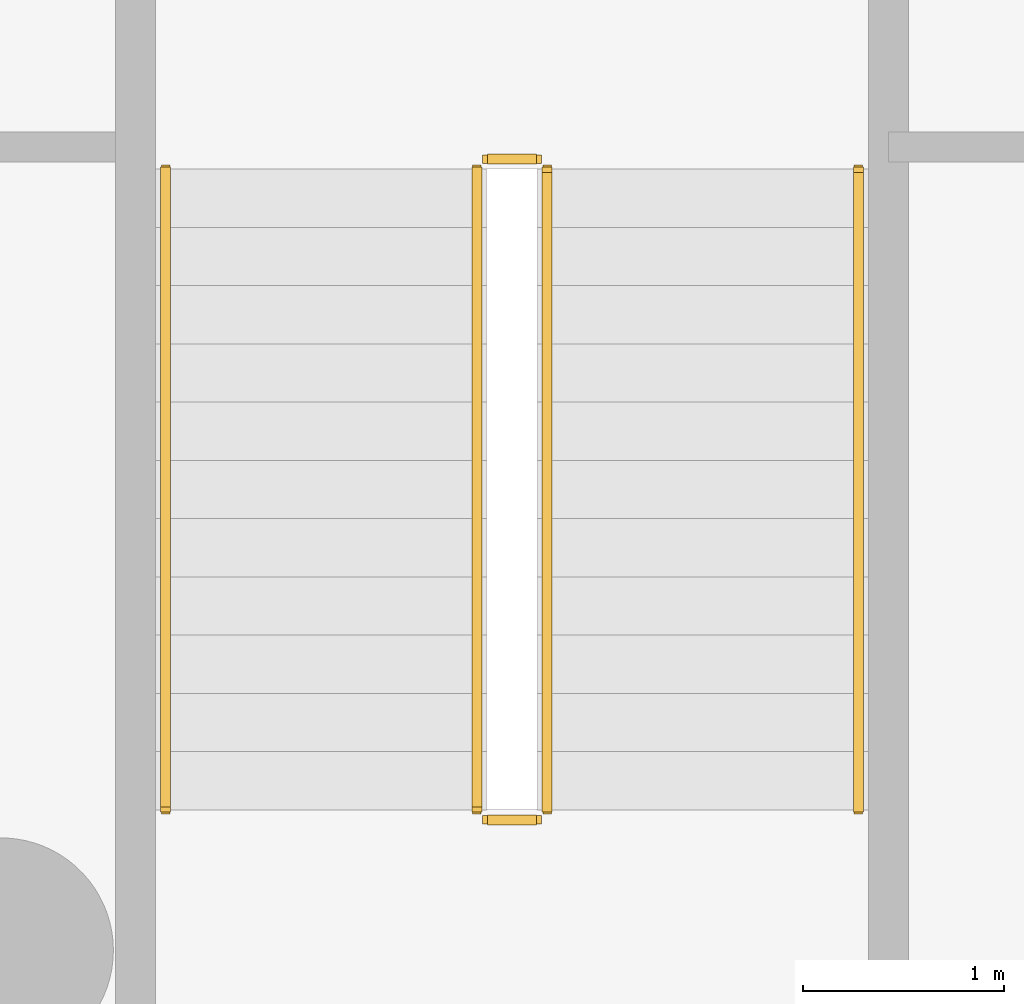
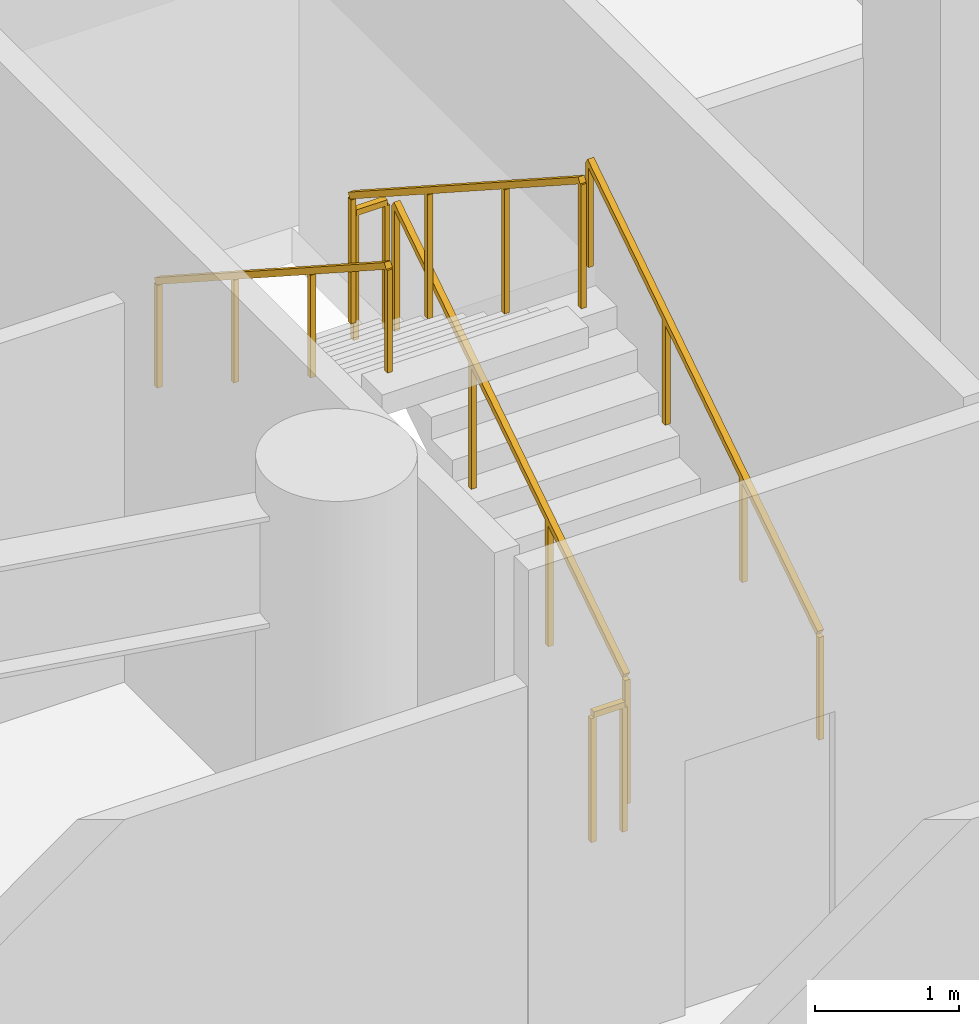
# One storey, part 21 of 21: 6 railings.
"""IFC4 building model written with IfcOpenShell, lengths in metres."""

from ifc_helpers import new_model, si_unit, derived_unit, direction, frame, origin, origin_2d, place, context, subcontext, project, spatial, rectangle, extrude, material, type_object, element, save


model = new_model("IFC4")

# Units and contexts
model_context = context("Model", 3, precision=1e-05, world=origin(), true_north=direction((0.0, 1.0)))
body_context = subcontext(model_context, "Body", "Model", "MODEL_VIEW")
ifc_project = project(units=[si_unit("LENGTHUNIT", "METRE"), si_unit("AREAUNIT", "SQUARE_METRE"), si_unit("VOLUMEUNIT", "CUBIC_METRE"), si_unit("PLANEANGLEUNIT", "RADIAN"), si_unit("MASSUNIT", "GRAM", prefix="KILO"), derived_unit("THERMALTRANSMITTANCEUNIT", [(si_unit("POWERUNIT", "WATT"), 1), (si_unit("LENGTHUNIT", "METRE"), -2), (si_unit("THERMODYNAMICTEMPERATUREUNIT", "KELVIN"), -1)])], contexts=[model_context])

# Site, building, storey
site_placement = place(None, origin())
site = spatial("IfcSite", under=ifc_project, at=site_placement, CompositionType="ELEMENT")
building_placement = place(site_placement, origin())
building = spatial("IfcBuilding", under=site, at=building_placement, Name="Koralith Skygarden Medical Center", CompositionType="ELEMENT")
storey_placement = place(building_placement, frame((0.0, 0.0, 14.39990234375)))
storey = spatial("IfcBuildingStorey", under=building, at=storey_placement, Name="L03", CompositionType="ELEMENT", Elevation=14.39990234375)

# Railings
ifc_material = material(Name="Steel ASTM A500 Grade C", Category="steel")
railing_type_1 = type_object("IfcRailingType", Name="Stair Flight Tubular Handrail 920", PredefinedType="HANDRAIL", material=ifc_material)
railing_1_placement = place(storey_placement, frame((68.64990234375, 23.199951171875, 0.1875)))
element("IfcRailing", 1, at=railing_1_placement, inside=storey, type_object=railing_type_1, Name="L03 ST5 stair handrail 1", PredefinedType="HANDRAIL", context=body_context, shape_type="SweptSolid", body=[
    extrude(rectangle(XDim=0.050048828125, YDim=0.050048828125, at=origin_2d()), frame((0.0, 0.001708984375, 0.89599609375), z_axis=(0.0, 0.839759782654, 0.542958108362), x_axis=(-1.0, 0.0, 0.0)), (0.0, 0.0, 1.0), 3.794677734375),
    extrude(rectangle(XDim=0.0419921875, YDim=0.0419921875, at=origin_2d()), origin(), (0.0, 0.0, 1.0), 0.867919921875),
    extrude(rectangle(XDim=0.0419921875, YDim=0.0419921875, at=origin_2d()), frame((0.0, 1.063232421875, 0.6875)), (0.0, 0.0, 1.0), 0.867919921875),
    extrude(rectangle(XDim=0.0419921875, YDim=0.0419921875, at=origin_2d()), frame((0.0, 2.126708984375, 1.375)), (0.0, 0.0, 1.0), 0.867919921875),
    extrude(rectangle(XDim=0.0419921875, YDim=0.0419921875, at=origin_2d()), frame((0.0, 3.18994140625, 2.0625)), (0.0, 0.0, 1.0), 0.867919921875),
])
railing_2_placement = place(storey_placement, frame((65.199951171875, 26.389892578125, 2.4375)))
element("IfcRailing", 2, at=railing_2_placement, inside=storey, type_object=railing_type_1, Name="L03 ST5 stair handrail 2", PredefinedType="HANDRAIL", context=body_context, shape_type="SweptSolid", body=[
    extrude(rectangle(XDim=0.050048828125, YDim=0.050048828125, at=origin_2d()), frame((0.0, -0.001708984375, 0.89599609375), z_axis=(0.0, -0.839759782654, 0.542958108362), x_axis=(1.0, 0.0, 0.0)), (0.0, 0.0, 1.0), 3.794677734375),
    extrude(rectangle(XDim=0.0419921875, YDim=0.0419921875, at=origin_2d()), origin(), (0.0, 0.0, 1.0), 0.867919921875),
    extrude(rectangle(XDim=0.0419921875, YDim=0.0419921875, at=origin_2d()), frame((0.0, -1.063232421875, 0.6875)), (0.0, 0.0, 1.0), 0.867919921875),
    extrude(rectangle(XDim=0.0419921875, YDim=0.0419921875, at=origin_2d()), frame((0.0, -2.126708984375, 1.375)), (0.0, 0.0, 1.0), 0.867919921875),
    extrude(rectangle(XDim=0.0419921875, YDim=0.0419921875, at=origin_2d()), frame((0.0, -3.18994140625, 2.0625)), (0.0, 0.0, 1.0), 0.867919921875),
])
railing_type_2 = type_object("IfcRailingType", Name="Stair Well Safety Guardrail 1100", PredefinedType="GUARDRAIL", material=ifc_material)
railing_3_placement = place(storey_placement, frame((67.10009765625, 23.199951171875, 0.1875)))
element("IfcRailing", 3, at=railing_3_placement, inside=storey, type_object=railing_type_2, Name="L03 ST5 stair guard 1", PredefinedType="GUARDRAIL", context=body_context, shape_type="SweptSolid", body=[
    extrude(rectangle(XDim=0.050048828125, YDim=0.050048828125, at=origin_2d()), frame((0.0, 0.001708984375, 1.076171875), z_axis=(0.0, 0.839759782654, 0.542958108362), x_axis=(-1.0, 0.0, 0.0)), (0.0, 0.0, 1.0), 3.794677734375),
    extrude(rectangle(XDim=0.0419921875, YDim=0.0419921875, at=origin_2d()), origin(), (0.0, 0.0, 1.0), 1.048095703125),
    extrude(rectangle(XDim=0.0419921875, YDim=0.0419921875, at=origin_2d()), frame((0.0, 1.063232421875, 0.6875)), (0.0, 0.0, 1.0), 1.048095703125),
    extrude(rectangle(XDim=0.0419921875, YDim=0.0419921875, at=origin_2d()), frame((0.0, 2.126708984375, 1.375)), (0.0, 0.0, 1.0), 1.048095703125),
    extrude(rectangle(XDim=0.0419921875, YDim=0.0419921875, at=origin_2d()), frame((0.0, 3.18994140625, 2.0625)), (0.0, 0.0, 1.0), 1.048095703125),
])
railing_4_placement = place(storey_placement, frame((67.050048828125, 26.43994140625, 2.25)))
element("IfcRailing", 4, at=railing_4_placement, inside=storey, type_object=railing_type_2, Name="L03 ST5 stair guard 2", PredefinedType="GUARDRAIL", context=body_context, shape_type="SweptSolid", body=[
    extrude(rectangle(XDim=0.050048828125, YDim=0.050048828125, at=origin_2d()), frame((-0.001953125, 0.0, 1.0751953125), z_axis=(-1.0, 0.0, 0.0), x_axis=(0.0, -1.0, 0.0)), (0.0, 0.0, 1.0), 0.24609375),
    extrude(rectangle(XDim=0.0419921875, YDim=0.0419921875, at=origin_2d()), origin(), (0.0, 0.0, 1.0), 1.048095703125),
    extrude(rectangle(XDim=0.0419921875, YDim=0.0419921875, at=origin_2d()), frame((-0.25, 0.0, 0.0)), (0.0, 0.0, 1.0), 1.048095703125),
])
railing_5_placement = place(storey_placement, frame((66.75, 26.389892578125, 2.4375)))
element("IfcRailing", 5, at=railing_5_placement, inside=storey, type_object=railing_type_2, Name="L03 ST5 stair guard 3", PredefinedType="GUARDRAIL", context=body_context, shape_type="SweptSolid", body=[
    extrude(rectangle(XDim=0.050048828125, YDim=0.050048828125, at=origin_2d()), frame((0.0, -0.001708984375, 1.076171875), z_axis=(0.0, -0.839759782654, 0.542958108362), x_axis=(1.0, 0.0, 0.0)), (0.0, 0.0, 1.0), 3.794677734375),
    extrude(rectangle(XDim=0.0419921875, YDim=0.0419921875, at=origin_2d()), origin(), (0.0, 0.0, 1.0), 1.048095703125),
    extrude(rectangle(XDim=0.0419921875, YDim=0.0419921875, at=origin_2d()), frame((0.0, -1.063232421875, 0.6875)), (0.0, 0.0, 1.0), 1.048095703125),
    extrude(rectangle(XDim=0.0419921875, YDim=0.0419921875, at=origin_2d()), frame((0.0, -2.126708984375, 1.375)), (0.0, 0.0, 1.0), 1.048095703125),
    extrude(rectangle(XDim=0.0419921875, YDim=0.0419921875, at=origin_2d()), frame((0.0, -3.18994140625, 2.0625)), (0.0, 0.0, 1.0), 1.048095703125),
])
railing_6_placement = place(storey_placement, frame((67.050048828125, 23.14990234375, 0.0)))
element("IfcRailing", 6, at=railing_6_placement, inside=storey, type_object=railing_type_2, Name="L03 ST5 stair guard 4", PredefinedType="GUARDRAIL", context=body_context, shape_type="SweptSolid", body=[
    extrude(rectangle(XDim=0.050048828125, YDim=0.050048828125, at=origin_2d()), frame((-0.001953125, 0.0, 1.0751953125), z_axis=(-1.0, 0.0, 0.0), x_axis=(0.0, -1.0, 0.0)), (0.0, 0.0, 1.0), 0.24609375),
    extrude(rectangle(XDim=0.0419921875, YDim=0.0419921875, at=origin_2d()), origin(), (0.0, 0.0, 1.0), 1.048095703125),
    extrude(rectangle(XDim=0.0419921875, YDim=0.0419921875, at=origin_2d()), frame((-0.25, 0.0, 0.0)), (0.0, 0.0, 1.0), 1.048095703125),
])

save(model, "model.ifc")
